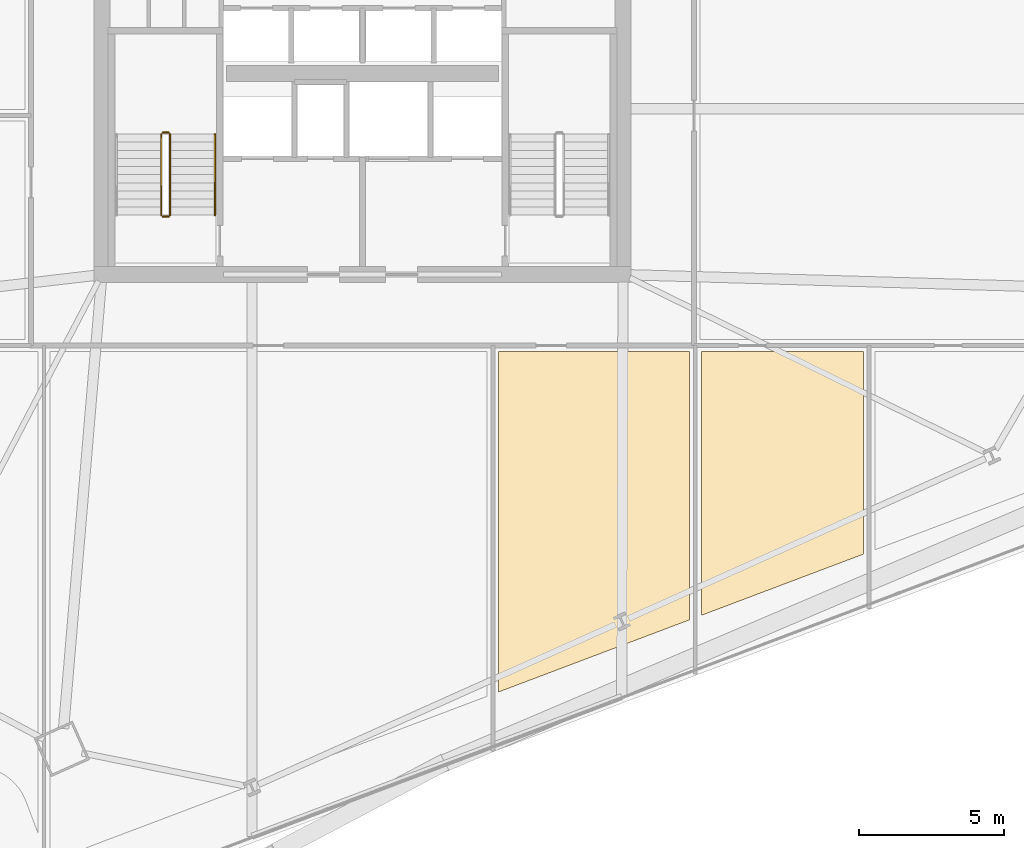
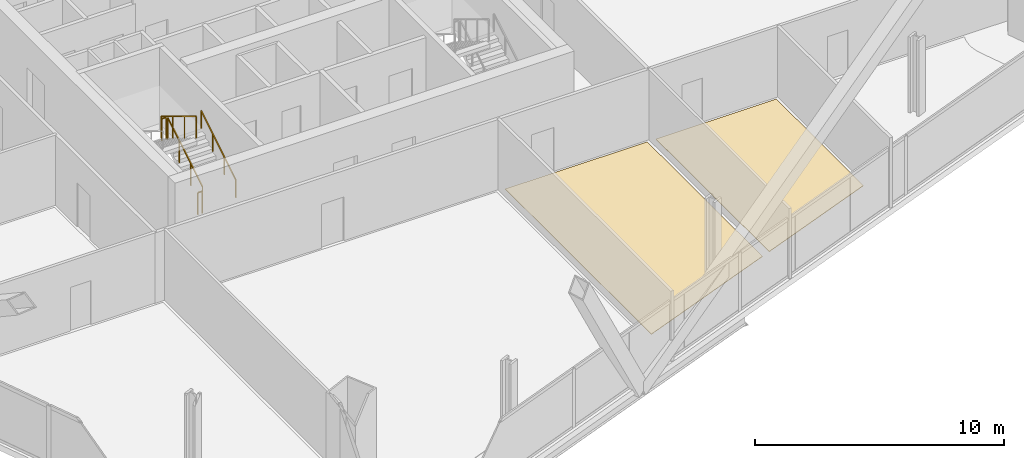
# One storey, part 34 of 37: 5 railings, 2 coverings.
"""IFC4 building model written with IfcOpenShell, lengths in metres."""

from ifc_helpers import new_model, si_unit, direction, frame, origin, origin_2d, place, context, subcontext, project, spatial, polyline, rectangle, outline, extrude, material, layer, layer_set, type_object, element, save


model = new_model("IFC4")

# Units and contexts
model_context = context("Model", 3, precision=1e-05, world=origin(), true_north=direction((0.0, 1.0)))
body_context = subcontext(model_context, "Body", "Model", "MODEL_VIEW")
ifc_project = project(units=[si_unit("LENGTHUNIT", "METRE"), si_unit("AREAUNIT", "SQUARE_METRE"), si_unit("VOLUMEUNIT", "CUBIC_METRE"), si_unit("PLANEANGLEUNIT", "RADIAN"), si_unit("MASSUNIT", "GRAM", prefix="KILO")], contexts=[model_context])

# Site, building, storey
site_placement = place(None, origin())
site = spatial("IfcSite", under=ifc_project, at=site_placement, CompositionType="ELEMENT")
building_placement = place(site_placement, origin())
building = spatial("IfcBuilding", under=site, at=building_placement, Name="Haldenkirk Collegiate Tower", CompositionType="ELEMENT")
storey_placement = place(building_placement, frame((0.0, 0.0, 97.949951171875)))
storey = spatial("IfcBuildingStorey", under=building, at=storey_placement, Name="L23", CompositionType="ELEMENT", Elevation=97.949951171875)

# Coverings
ifc_material_1 = material(Name="Polished collegiate terrazzo", Category="concrete")
ifc_layer_1 = layer(ifc_material_1, 0.02490234375)
ifc_layer_set_1 = layer_set([ifc_layer_1], Name="Polished collegiate terrazzo")
covering_type_1 = type_object("IfcCoveringType", Name="COV-FLOOR-TERRAZZO", PredefinedType="FLOORING", material=ifc_layer_set_1)
covering_1_placement = place(storey_placement, origin())
element("IfcCovering", 1, at=covering_1_placement, inside=storey, type_object=covering_type_1, Name="L23 academic room finish 04", PredefinedType="FLOORING", context=body_context, shape_type="SweptSolid", body=[
    extrude(outline(polyline([(47.699951171875, 6.229248046875), (47.699951171875, 15.35009765625), (53.300048828125, 15.35009765625), (53.300048828125, 8.345458984375), (47.699951171875, 6.229248046875)])), origin(), (0.0, 0.0, 1.0), 0.025146484375),
])
ifc_material_2 = material(Name="Engineered collegiate oak acoustic flooring", Category="wood")
ifc_layer_2 = layer(ifc_material_2, 0.02197265625)
ifc_layer_set_2 = layer_set([ifc_layer_2], Name="Engineered collegiate oak acoustic flooring")
covering_type_2 = type_object("IfcCoveringType", Name="COV-FLOOR-TIMBER", PredefinedType="FLOORING", material=ifc_layer_set_2)
covering_2_placement = place(storey_placement, origin())
element("IfcCovering", 2, at=covering_2_placement, inside=storey, type_object=covering_type_2, Name="L23 academic room finish 03", PredefinedType="FLOORING", context=body_context, shape_type="SweptSolid", body=[
    extrude(outline(polyline([(40.699951171875, 3.584228515625), (40.699951171875, 15.35009765625), (47.300048828125, 15.35009765625), (47.300048828125, 6.078125), (40.699951171875, 3.584228515625)])), origin(), (0.0, 0.0, 1.0), 0.02197265625),
])

# Railings
ifc_material_3 = material(Name="Painted architectural tubular steel", Category="steel")
railing_type_1 = type_object("IfcRailingType", Name="RLG-STAIR-GUARD-1100", PredefinedType="BALUSTRADE", material=ifc_material_3)
railing_1_placement = place(storey_placement, frame((29.35009765625, 20.050048828125, 0.17041015625)))
element("IfcRailing", 3, at=railing_1_placement, inside=storey, type_object=railing_type_1, Name="L23 ST-1 stair guard 1", PredefinedType="BALUSTRADE", context=body_context, shape_type="SweptSolid", body=[
    extrude(rectangle(XDim=0.048095703125, YDim=0.048095703125, at=origin_2d()), frame((0.0, 0.0, 1.076171875), z_axis=(0.0, 0.854169791009, 0.51999420009), x_axis=(-1.0, 0.0, 0.0)), (0.0, 0.0, 1.0), 3.278076171875),
    extrude(rectangle(XDim=0.0419921875, YDim=0.0419921875, at=origin_2d()), origin(), (0.0, 0.0, 1.0), 1.052001953125),
    extrude(rectangle(XDim=0.0419921875, YDim=0.0419921875, at=origin_2d()), frame((0.0, 0.933349609375, 0.568115234375)), (0.0, 0.0, 1.0), 1.052001953125),
    extrude(rectangle(XDim=0.0419921875, YDim=0.0419921875, at=origin_2d()), frame((0.0, 1.86669921875, 1.136474609375)), (0.0, 0.0, 1.0), 1.052001953125),
    extrude(rectangle(XDim=0.0419921875, YDim=0.0419921875, at=origin_2d()), frame((0.0, 2.800048828125, 1.70458984375)), (0.0, 0.0, 1.0), 1.052001953125),
])
railing_2_placement = place(storey_placement, frame((29.300048828125, 22.89990234375, 1.875)))
element("IfcRailing", 4, at=railing_2_placement, inside=storey, type_object=railing_type_1, Name="L23 ST-1 stair guard 2", PredefinedType="BALUSTRADE", context=body_context, shape_type="SweptSolid", body=[
    extrude(rectangle(XDim=0.048095703125, YDim=0.048095703125, at=origin_2d()), frame((0.0, 0.0, 1.076171875), z_axis=(-1.0, 0.0, 0.0), x_axis=(0.0, -1.0, 0.0)), (0.0, 0.0, 1.0), 0.199951171875),
    extrude(rectangle(XDim=0.0419921875, YDim=0.0419921875, at=origin_2d()), origin(), (0.0, 0.0, 1.0), 1.052001953125),
    extrude(rectangle(XDim=0.0419921875, YDim=0.0419921875, at=origin_2d()), frame((-0.199951171875, 0.0, 0.0)), (0.0, 0.0, 1.0), 1.052001953125),
])
railing_3_placement = place(storey_placement, frame((29.050048828125, 22.85009765625, 2.04541015625)))
element("IfcRailing", 5, at=railing_3_placement, inside=storey, type_object=railing_type_1, Name="L23 ST-1 stair guard 3", PredefinedType="BALUSTRADE", context=body_context, shape_type="SweptSolid", body=[
    extrude(rectangle(XDim=0.048095703125, YDim=0.048095703125, at=origin_2d()), frame((0.0, 0.0, 1.076171875), z_axis=(0.0, -0.854169791009, 0.51999420009), x_axis=(1.0, 0.0, 0.0)), (0.0, 0.0, 1.0), 3.278076171875),
    extrude(rectangle(XDim=0.0419921875, YDim=0.0419921875, at=origin_2d()), origin(), (0.0, 0.0, 1.0), 1.052001953125),
    extrude(rectangle(XDim=0.0419921875, YDim=0.0419921875, at=origin_2d()), frame((0.0, -0.933349609375, 0.568115234375)), (0.0, 0.0, 1.0), 1.052001953125),
    extrude(rectangle(XDim=0.0419921875, YDim=0.0419921875, at=origin_2d()), frame((0.0, -1.86669921875, 1.136474609375)), (0.0, 0.0, 1.0), 1.052001953125),
    extrude(rectangle(XDim=0.0419921875, YDim=0.0419921875, at=origin_2d()), frame((0.0, -2.800048828125, 1.70458984375)), (0.0, 0.0, 1.0), 1.052001953125),
])
railing_4_placement = place(storey_placement, frame((29.300048828125, 20.0, 0.0)))
element("IfcRailing", 6, at=railing_4_placement, inside=storey, type_object=railing_type_1, Name="L23 ST-1 stair guard 4", PredefinedType="BALUSTRADE", context=body_context, shape_type="SweptSolid", body=[
    extrude(rectangle(XDim=0.048095703125, YDim=0.048095703125, at=origin_2d()), frame((0.0, 0.0, 1.076171875), z_axis=(-1.0, 0.0, 0.0), x_axis=(0.0, -1.0, 0.0)), (0.0, 0.0, 1.0), 0.199951171875),
    extrude(rectangle(XDim=0.0419921875, YDim=0.0419921875, at=origin_2d()), origin(), (0.0, 0.0, 1.0), 1.052001953125),
    extrude(rectangle(XDim=0.0419921875, YDim=0.0419921875, at=origin_2d()), frame((-0.199951171875, 0.0, 0.0)), (0.0, 0.0, 1.0), 1.052001953125),
])
railing_type_2 = type_object("IfcRailingType", Name="RLG-STAIR-HANDRAIL-900", PredefinedType="HANDRAIL", material=ifc_material_3)
railing_5_placement = place(storey_placement, frame((30.89990234375, 20.050048828125, 0.17041015625)))
element("IfcRailing", 7, at=railing_5_placement, inside=storey, type_object=railing_type_2, Name="L23 ST-1 stair handrail 1", PredefinedType="HANDRAIL", context=body_context, shape_type="SweptSolid", body=[
    extrude(rectangle(XDim=0.048095703125, YDim=0.048095703125, at=origin_2d()), frame((0.0, 0.0, 0.8759765625), z_axis=(0.0, 0.854169791009, 0.51999420009), x_axis=(-1.0, 0.0, 0.0)), (0.0, 0.0, 1.0), 3.278076171875),
    extrude(rectangle(XDim=0.0419921875, YDim=0.0419921875, at=origin_2d()), origin(), (0.0, 0.0, 1.0), 0.851806640625),
    extrude(rectangle(XDim=0.0419921875, YDim=0.0419921875, at=origin_2d()), frame((0.0, 0.933349609375, 0.568115234375)), (0.0, 0.0, 1.0), 0.851806640625),
    extrude(rectangle(XDim=0.0419921875, YDim=0.0419921875, at=origin_2d()), frame((0.0, 1.86669921875, 1.136474609375)), (0.0, 0.0, 1.0), 0.851806640625),
    extrude(rectangle(XDim=0.0419921875, YDim=0.0419921875, at=origin_2d()), frame((0.0, 2.800048828125, 1.70458984375)), (0.0, 0.0, 1.0), 0.851806640625),
])

save(model, "model.ifc")
